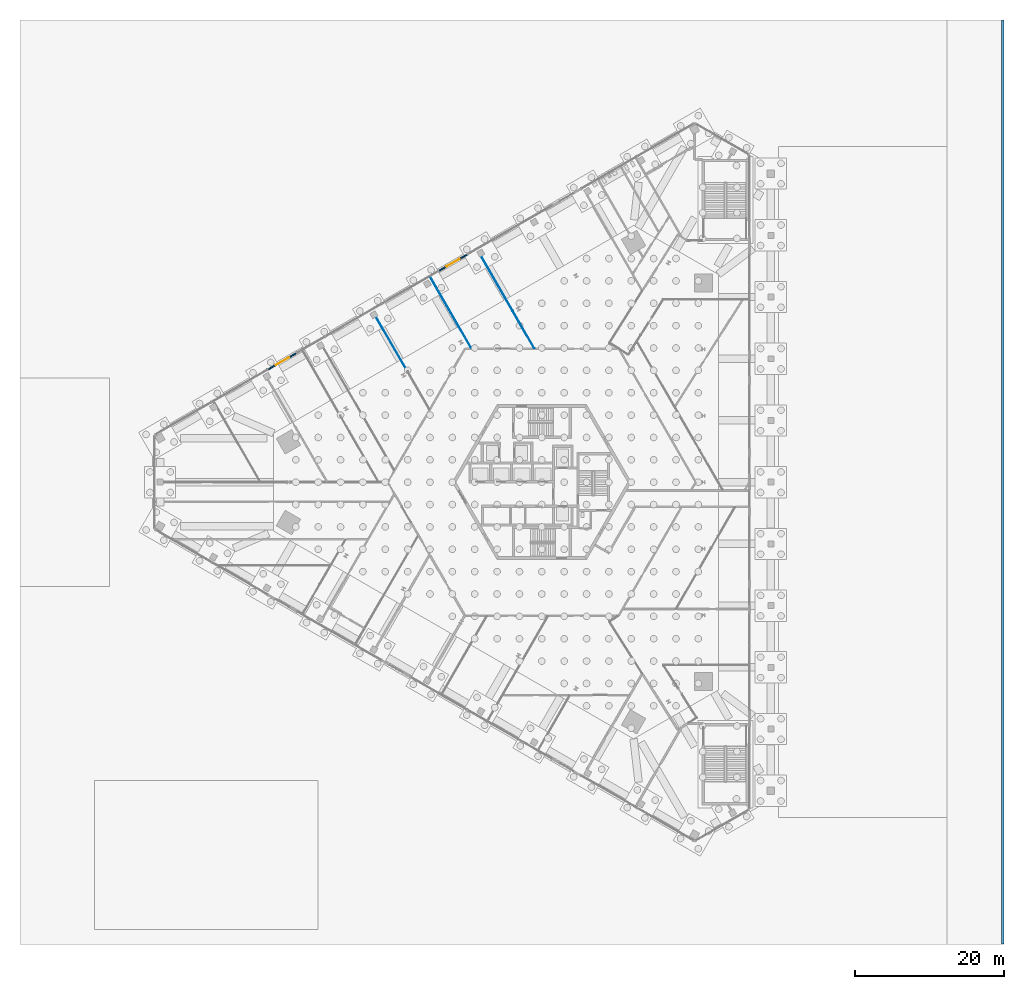
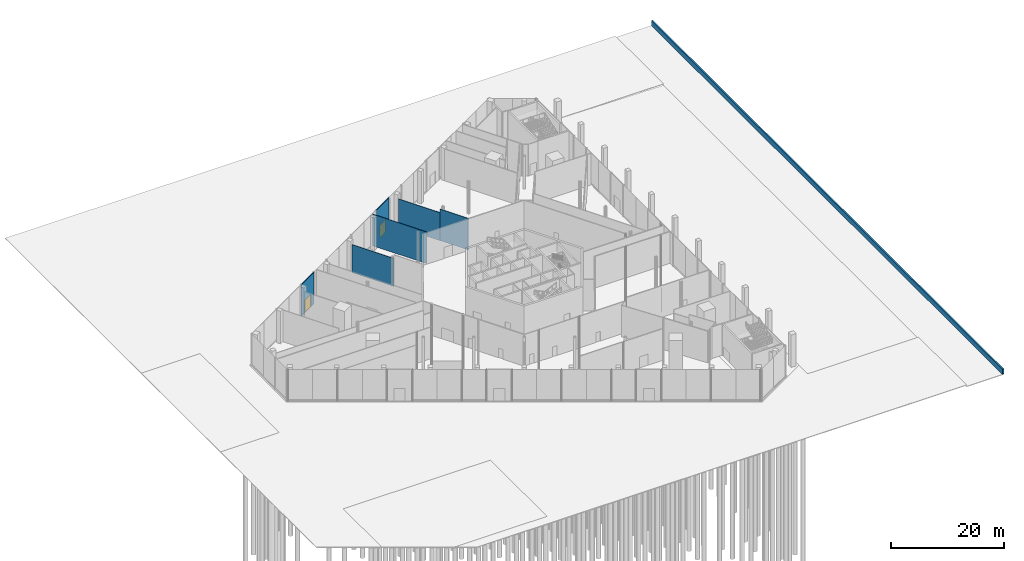
# One storey, part 21 of 27: 7 walls, 2 doors, 2 openings.
"""IFC4 building model written with IfcOpenShell, lengths in metres."""

from ifc_helpers import new_model, si_unit, direction, frame, frame_2d, origin, place, context, subcontext, project, spatial, rectangle, extrude, source, transform, mapped, material, layer, layer_set, type_object, element, fill, save


model = new_model("IFC4")

# Units and contexts
model_context = context("Model", 3, precision=1e-05, world=origin(), true_north=direction((0.0, 1.0)))
body_context = subcontext(model_context, "Body", "Model", "MODEL_VIEW")
ifc_project = project(units=[si_unit("LENGTHUNIT", "METRE"), si_unit("AREAUNIT", "SQUARE_METRE"), si_unit("VOLUMEUNIT", "CUBIC_METRE"), si_unit("PLANEANGLEUNIT", "RADIAN"), si_unit("MASSUNIT", "GRAM", prefix="KILO")], contexts=[model_context])

# Site, building, storey
site_placement = place(None, origin())
site = spatial("IfcSite", under=ifc_project, at=site_placement, CompositionType="ELEMENT")
building_placement = place(site_placement, origin())
building = spatial("IfcBuilding", under=site, at=building_placement, Name="Triune Harvest Tower", CompositionType="ELEMENT")
storey_placement = place(building_placement, origin())
storey = spatial("IfcBuildingStorey", under=building, at=storey_placement, Name="L00", CompositionType="ELEMENT", Elevation=0.0)

# Walls
ifc_material_1 = material(Name="Concrete 40 MPa", Category="concrete")
ifc_layer_1 = layer(ifc_material_1, 0.300048828125)
ifc_layer_set_1 = layer_set([ifc_layer_1], Name="Concrete 40 MPa")
wall_type_1 = type_object("IfcWallType", Name="PA-2 bulkhead parapet 300", PredefinedType="PARAPET", material=ifc_layer_set_1)
wall_1_placement = place(storey_placement, frame((61.830078125, -61.97998046875, -0.300048828125), z_axis=(0.0, 0.0, 1.0), x_axis=(0.0, 1.0, 0.0)))
element("IfcWall", 1, at=wall_1_placement, inside=storey, type_object=wall_type_1, Name="Bulkhead parapet", PredefinedType="PARAPET", context=body_context, shape_type="SweptSolid", body=[
    extrude(rectangle(XDim=123.9599609375, YDim=0.300048828125, at=frame_2d((61.97998046875, 0.0))), origin(), (0.0, 0.0, 1.0), 1.10009765625),
])
ifc_material_2 = material(Name="Gypsum board on steel studs", Category="steel")
ifc_layer_2 = layer(ifc_material_2, 0.10009765625)
ifc_layer_set_2 = layer_set([ifc_layer_2], Name="Gypsum board on steel studs")
wall_type_2 = type_object("IfcWallType", Name="Partition 100 mm", PredefinedType="PARTITIONING", material=ifc_layer_set_2)
wall_2_placement = place(storey_placement, frame((-22.238037109375, 22.17724609375, 0.0), z_axis=(0.0, 0.0, 1.0), x_axis=(0.500007862672, -0.866020864221, 0.0)))
element("IfcWall", 2, at=wall_2_placement, inside=storey, type_object=wall_type_2, Name="Partition L00 007", PredefinedType="PARTITIONING", context=body_context, shape_type="SweptSolid", body=[
    extrude(rectangle(XDim=8.490478515625, YDim=0.10009765625, at=frame_2d((4.2451171875, 0.0))), origin(), (0.0, 0.0, 1.0), 6.02783203125),
])
wall_3_placement = place(storey_placement, frame((-14.9951171875, 27.576171875, 0.0), z_axis=(0.0, 0.0, 1.0), x_axis=(0.499993005702, -0.866029441907, 0.0)))
element("IfcWall", 3, at=wall_3_placement, inside=storey, type_object=wall_type_2, Name="Partition L00 009", PredefinedType="PARTITIONING", context=body_context, shape_type="SweptSolid", body=[
    extrude(rectangle(XDim=11.092041015625, YDim=0.10009765625, at=frame_2d((5.5458984375, 0.0))), origin(), (0.0, 0.0, 1.0), 6.800048828125),
])
wall_4_placement = place(storey_placement, frame((-8.140869140625, 30.31640625, 0.0), z_axis=(0.0, 0.0, 1.0), x_axis=(0.499995411839, -0.866028052744, 0.0)))
element("IfcWall", 4, at=wall_4_placement, inside=storey, type_object=wall_type_2, Name="Partition L00 010", PredefinedType="PARTITIONING", context=body_context, shape_type="SweptSolid", body=[
    extrude(rectangle(XDim=8.49072265625, YDim=0.10009765625, at=frame_2d((4.245361328125, 0.0))), origin(), (0.0, 0.0, 1.0), 6.02783203125),
])
wall_5_placement = place(storey_placement, frame((-3.8955078125, 22.963134765625, 0.0), z_axis=(0.0, 0.0, 1.0), x_axis=(0.500019361804, -0.866014224953, 0.0)))
element("IfcWall", 5, at=wall_5_placement, inside=storey, type_object=wall_type_2, Name="Partition L00 010a", PredefinedType="PARTITIONING", context=body_context, shape_type="SweptSolid", body=[
    extrude(rectangle(XDim=5.765380859375, YDim=0.10009765625, at=frame_2d((2.8828125, 0.0))), origin(), (0.0, 0.0, 1.0), 6.800048828125),
])

# Wall, opening, door
ifc_material_3 = material(Name="Aluminium bronze anodised", Category="aluminium")
ifc_layer_3 = layer(ifc_material_3, 0.14990234375)
ifc_layer_set_3 = layer_set([ifc_layer_3], Name="Aluminium bronze anodised")
wall_type_3 = type_object("IfcWallType", Name="WW-1 entrance wall", PredefinedType="ELEMENTEDWALL", material=ifc_layer_set_3)
wall_6_placement = place(storey_placement, frame((-13.820556640625, 28.3408203125, 0.0), z_axis=(0.0, 0.0, 1.0), x_axis=(0.866012896985, 0.500021661786, 0.0)))
wall_6 = element("IfcWall", 6, at=wall_6_placement, inside=storey, type_object=wall_type_3, Name="WW-1 PD-F3 L00.9", PredefinedType="ELEMENTEDWALL", context=body_context, shape_type="SweptSolid", body=[
    extrude(rectangle(XDim=4.402587890625, YDim=0.14990234375, at=frame_2d((2.201171875, 0.0))), origin(), (0.0, 0.0, 1.0), 6.800048828125),
])
opening_1_placement = place(wall_6_placement, frame((1.201416015625, 0.0, 0.0)))
opening_1 = element("IfcOpeningElement", 7, at=opening_1_placement, cuts=wall_6, Name="Opening L00-E07", PredefinedType="OPENING", context=body_context, shape_type="SweptSolid", body=[
    extrude(rectangle(XDim=2.0, YDim=2.699951171875, at=frame_2d((1.0, 1.35009765625))), frame((0.0, 0.0849609375, 0.0), z_axis=(0.0, -1.0, 0.0), x_axis=(1.0, 0.0, 0.0)), (0.0, 0.0, 1.0), 0.169921875),
])
ifc_material_4 = material(Name="Glass", Category="glass")
door_type = type_object("IfcDoorType", Name="DE-1 glazed entrance door 2000 x 2700", OperationType="DOUBLE_DOOR_SINGLE_SWING", PredefinedType="DOOR", material=ifc_material_4)
door_1_placement = place(opening_1_placement, origin())
door_1 = element("IfcDoor", 8, at=door_1_placement, inside=storey, type_object=door_type, Name="Door L00-E07", OperationType="DOUBLE_DOOR_SINGLE_SWING", OverallHeight=2.699951171875, OverallWidth=2.0, PredefinedType="DOOR", context=body_context, shape_type="SweptSolid", body=[
    extrude(rectangle(XDim=2.0, YDim=2.699951171875, at=frame_2d((1.0, 1.35009765625))), frame((0.0, 0.02490234375, 0.0), z_axis=(0.0, -1.0, 0.0), x_axis=(1.0, 0.0, 0.0)), (0.0, 0.0, 1.0), 0.050048828125),
])
fill(opening_1, door_1)

shared_shape = source(origin(), body_context, "Body", "SweptSolid", [
    extrude(rectangle(XDim=4.40283203125, YDim=0.14990234375, at=frame_2d((2.201416015625, 0.0))), origin(), (0.0, 0.0, 1.0), 6.800048828125),
])
wall_7_placement = place(storey_placement, frame((-36.698486328125, 15.13232421875, 0.0), z_axis=(0.0, 0.0, 1.0), x_axis=(0.866026760492, 0.499997650106, 0.0)))
wall_7 = element("IfcWall", 9, at=wall_7_placement, inside=storey, type_object=wall_type_3, Name="WW-1 PD-F3 L00.15", PredefinedType="ELEMENTEDWALL", context=body_context, shape_type="MappedRepresentation", body=[
    mapped(shared_shape, transform((0.0, 0.0, 0.0), scale=1.0)),
])
opening_2_placement = place(wall_7_placement, frame((1.201416015625, 0.0, 0.0)))
opening_2 = element("IfcOpeningElement", 10, at=opening_2_placement, cuts=wall_7, Name="Opening L00-E08", PredefinedType="OPENING", context=body_context, shape_type="SweptSolid", body=[
    extrude(rectangle(XDim=2.0, YDim=2.699951171875, at=frame_2d((1.0, 1.35009765625))), frame((0.0, 0.0849609375, 0.0), z_axis=(0.0, -1.0, 0.0), x_axis=(1.0, 0.0, 0.0)), (0.0, 0.0, 1.0), 0.169921875),
])
door_2_placement = place(opening_2_placement, origin())
door_2 = element("IfcDoor", 11, at=door_2_placement, inside=storey, type_object=door_type, Name="Door L00-E08", OperationType="DOUBLE_DOOR_SINGLE_SWING", OverallHeight=2.699951171875, OverallWidth=2.0, PredefinedType="DOOR", context=body_context, shape_type="SweptSolid", body=[
    extrude(rectangle(XDim=2.0, YDim=2.699951171875, at=frame_2d((1.0, 1.35009765625))), frame((0.0, 0.02490234375, 0.0), z_axis=(0.0, -1.0, 0.0), x_axis=(1.0, 0.0, 0.0)), (0.0, 0.0, 1.0), 0.050048828125),
])
fill(opening_2, door_2)

save(model, "model.ifc")
